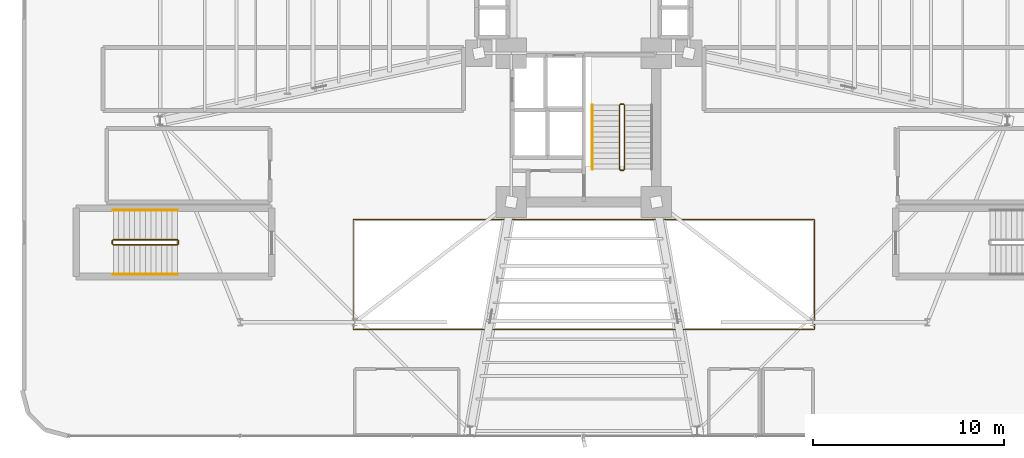
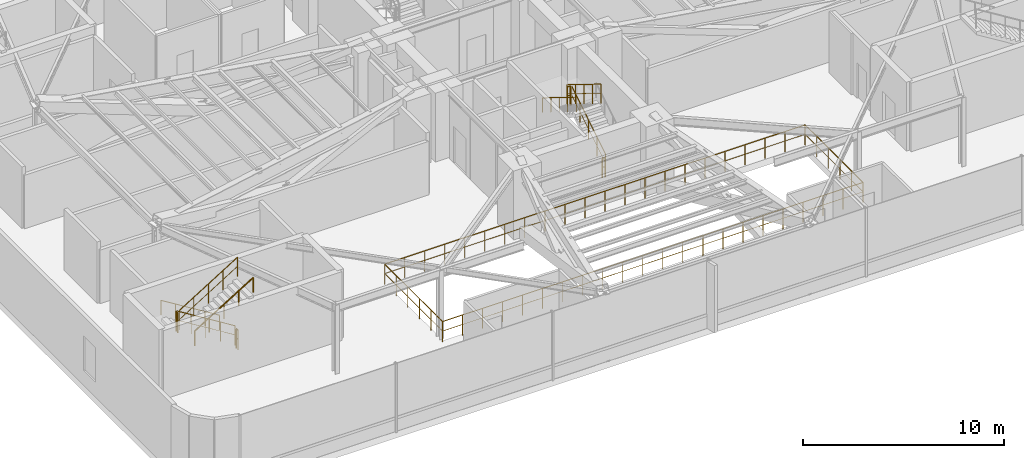
# One storey, part 29 of 32: 12 railings.
"""IFC4 building model written with IfcOpenShell, lengths in metres."""

from ifc_helpers import new_model, si_unit, direction, frame, origin, origin_2d, place, context, subcontext, project, spatial, circle, extrude, material, type_object, element, save


model = new_model("IFC4")

# Units and contexts
model_context = context("Model", 3, precision=1e-05, world=origin(), true_north=direction((0.0, 1.0)))
body_context = subcontext(model_context, "Body", "Model", "MODEL_VIEW")
ifc_project = project(units=[si_unit("LENGTHUNIT", "METRE"), si_unit("AREAUNIT", "SQUARE_METRE"), si_unit("VOLUMEUNIT", "CUBIC_METRE"), si_unit("PLANEANGLEUNIT", "RADIAN"), si_unit("MASSUNIT", "GRAM", prefix="KILO")], contexts=[model_context])

# Site, building, storey
site_placement = place(None, origin())
site = spatial("IfcSite", under=ifc_project, at=site_placement, CompositionType="ELEMENT")
building_placement = place(site_placement, origin())
building = spatial("IfcBuilding", under=site, at=building_placement, Name="Sahyath Konkavel Grand Hotel", CompositionType="ELEMENT")
storey_placement = place(building_placement, frame((0.0, 0.0, 14.10009765625)))
storey = spatial("IfcBuildingStorey", under=building, at=storey_placement, Name="L03", CompositionType="ELEMENT", Elevation=14.10009765625)

# Railings
ifc_material_1 = material(Name="Anodised Bronze Aluminium and Laminated Glass", Category="aluminium")
railing_type_1 = type_object("IfcRailingType", Name="RLG-ATRIUM-1250", PredefinedType="BALUSTRADE", material=ifc_material_1)
railing_1_placement = place(storey_placement, frame((-12.080078125, -16.8798828125, 0.0)))
element("IfcRailing", 1, at=railing_1_placement, inside=storey, type_object=railing_type_1, Name="L03 Podium Atrium Void Guard Balustrade", PredefinedType="BALUSTRADE", context=body_context, shape_type="SweptSolid", body=[
    extrude(circle(Radius=0.02392578125, at=origin_2d()), frame((0.001953125, 0.0, 1.22607421875), z_axis=(1.0, 0.0, 0.0), x_axis=(0.0, 1.0, 0.0)), (0.0, 0.0, 1.0), 24.15625),
    extrude(circle(Radius=0.01416015625, at=origin_2d()), frame((0.001953125, 0.0, 0.64990234375), z_axis=(1.0, 0.0, 0.0), x_axis=(0.0, 1.0, 0.0)), (0.0, 0.0, 1.0), 24.15625),
    extrude(circle(Radius=0.02392578125, at=origin_2d()), frame((24.16015625, 0.001953125, 1.22607421875), z_axis=(0.0, 1.0, 0.0), x_axis=(-1.0, 0.0, 0.0)), (0.0, 0.0, 1.0), 5.755859375),
    extrude(circle(Radius=0.01416015625, at=origin_2d()), frame((24.16015625, 0.001953125, 0.64990234375), z_axis=(0.0, 1.0, 0.0), x_axis=(-1.0, 0.0, 0.0)), (0.0, 0.0, 1.0), 5.755859375),
    extrude(circle(Radius=0.02392578125, at=origin_2d()), frame((24.158203125, 5.759765625, 1.22607421875), z_axis=(-1.0, 0.0, 0.0), x_axis=(0.0, -1.0, 0.0)), (0.0, 0.0, 1.0), 24.15625),
    extrude(circle(Radius=0.01416015625, at=origin_2d()), frame((24.158203125, 5.759765625, 0.64990234375), z_axis=(-1.0, 0.0, 0.0), x_axis=(0.0, -1.0, 0.0)), (0.0, 0.0, 1.0), 24.15625),
    extrude(circle(Radius=0.02392578125, at=origin_2d()), frame((0.0, 5.7578125, 1.22607421875), z_axis=(0.0, -1.0, 0.0), x_axis=(1.0, 0.0, 0.0)), (0.0, 0.0, 1.0), 5.755859375),
    extrude(circle(Radius=0.01416015625, at=origin_2d()), frame((0.0, 5.7578125, 0.64990234375), z_axis=(0.0, -1.0, 0.0), x_axis=(1.0, 0.0, 0.0)), (0.0, 0.0, 1.0), 5.755859375),
    extrude(circle(Radius=0.02099609375, at=origin_2d()), origin(), (0.0, 0.0, 1.0), 1.201904296875),
    extrude(circle(Radius=0.02099609375, at=origin_2d()), frame((1.150390625, 0.0, 0.0)), (0.0, 0.0, 1.0), 1.201904296875),
    extrude(circle(Radius=0.02099609375, at=origin_2d()), frame((2.301025390625, 0.0, 0.0)), (0.0, 0.0, 1.0), 1.201904296875),
    extrude(circle(Radius=0.02099609375, at=origin_2d()), frame((3.451416015625, 0.0, 0.0)), (0.0, 0.0, 1.0), 1.201904296875),
    extrude(circle(Radius=0.02099609375, at=origin_2d()), frame((4.60205078125, 0.0, 0.0)), (0.0, 0.0, 1.0), 1.201904296875),
    extrude(circle(Radius=0.02099609375, at=origin_2d()), frame((5.75244140625, 0.0, 0.0)), (0.0, 0.0, 1.0), 1.201904296875),
    extrude(circle(Radius=0.02099609375, at=origin_2d()), frame((6.90283203125, 0.0, 0.0)), (0.0, 0.0, 1.0), 1.201904296875),
    extrude(circle(Radius=0.02099609375, at=origin_2d()), frame((8.053466796875, 0.0, 0.0)), (0.0, 0.0, 1.0), 1.201904296875),
    extrude(circle(Radius=0.02099609375, at=origin_2d()), frame((9.203857421875, 0.0, 0.0)), (0.0, 0.0, 1.0), 1.201904296875),
    extrude(circle(Radius=0.02099609375, at=origin_2d()), frame((10.354248046875, 0.0, 0.0)), (0.0, 0.0, 1.0), 1.201904296875),
    extrude(circle(Radius=0.02099609375, at=origin_2d()), frame((11.5048828125, 0.0, 0.0)), (0.0, 0.0, 1.0), 1.201904296875),
    extrude(circle(Radius=0.02099609375, at=origin_2d()), frame((12.6552734375, 0.0, 0.0)), (0.0, 0.0, 1.0), 1.201904296875),
    extrude(circle(Radius=0.02099609375, at=origin_2d()), frame((13.805908203125, 0.0, 0.0)), (0.0, 0.0, 1.0), 1.201904296875),
    extrude(circle(Radius=0.02099609375, at=origin_2d()), frame((14.956298828125, 0.0, 0.0)), (0.0, 0.0, 1.0), 1.201904296875),
    extrude(circle(Radius=0.02099609375, at=origin_2d()), frame((16.106689453125, 0.0, 0.0)), (0.0, 0.0, 1.0), 1.201904296875),
    extrude(circle(Radius=0.02099609375, at=origin_2d()), frame((17.25732421875, 0.0, 0.0)), (0.0, 0.0, 1.0), 1.201904296875),
    extrude(circle(Radius=0.02099609375, at=origin_2d()), frame((18.40771484375, 0.0, 0.0)), (0.0, 0.0, 1.0), 1.201904296875),
    extrude(circle(Radius=0.02099609375, at=origin_2d()), frame((19.55810546875, 0.0, 0.0)), (0.0, 0.0, 1.0), 1.201904296875),
    extrude(circle(Radius=0.02099609375, at=origin_2d()), frame((20.708740234375, 0.0, 0.0)), (0.0, 0.0, 1.0), 1.201904296875),
    extrude(circle(Radius=0.02099609375, at=origin_2d()), frame((21.859130859375, 0.0, 0.0)), (0.0, 0.0, 1.0), 1.201904296875),
    extrude(circle(Radius=0.02099609375, at=origin_2d()), frame((23.009765625, 0.0, 0.0)), (0.0, 0.0, 1.0), 1.201904296875),
    extrude(circle(Radius=0.02099609375, at=origin_2d()), frame((24.16015625, 0.0, 0.0)), (0.0, 0.0, 1.0), 1.201904296875),
    extrude(circle(Radius=0.02099609375, at=origin_2d()), frame((24.16015625, 1.15185546875, 0.0)), (0.0, 0.0, 1.0), 1.201904296875),
    extrude(circle(Radius=0.02099609375, at=origin_2d()), frame((24.16015625, 2.303955078125, 0.0)), (0.0, 0.0, 1.0), 1.201904296875),
    extrude(circle(Radius=0.02099609375, at=origin_2d()), frame((24.16015625, 3.455810546875, 0.0)), (0.0, 0.0, 1.0), 1.201904296875),
    extrude(circle(Radius=0.02099609375, at=origin_2d()), frame((24.16015625, 4.60791015625, 0.0)), (0.0, 0.0, 1.0), 1.201904296875),
    extrude(circle(Radius=0.02099609375, at=origin_2d()), frame((24.16015625, 5.759765625, 0.0)), (0.0, 0.0, 1.0), 1.201904296875),
    extrude(circle(Radius=0.02099609375, at=origin_2d()), frame((23.009765625, 5.759765625, 0.0)), (0.0, 0.0, 1.0), 1.201904296875),
    extrude(circle(Radius=0.02099609375, at=origin_2d()), frame((21.859130859375, 5.759765625, 0.0)), (0.0, 0.0, 1.0), 1.201904296875),
    extrude(circle(Radius=0.02099609375, at=origin_2d()), frame((20.708740234375, 5.759765625, 0.0)), (0.0, 0.0, 1.0), 1.201904296875),
    extrude(circle(Radius=0.02099609375, at=origin_2d()), frame((19.55810546875, 5.759765625, 0.0)), (0.0, 0.0, 1.0), 1.201904296875),
    extrude(circle(Radius=0.02099609375, at=origin_2d()), frame((18.40771484375, 5.759765625, 0.0)), (0.0, 0.0, 1.0), 1.201904296875),
    extrude(circle(Radius=0.02099609375, at=origin_2d()), frame((17.25732421875, 5.759765625, 0.0)), (0.0, 0.0, 1.0), 1.201904296875),
    extrude(circle(Radius=0.02099609375, at=origin_2d()), frame((16.106689453125, 5.759765625, 0.0)), (0.0, 0.0, 1.0), 1.201904296875),
    extrude(circle(Radius=0.02099609375, at=origin_2d()), frame((14.956298828125, 5.759765625, 0.0)), (0.0, 0.0, 1.0), 1.201904296875),
    extrude(circle(Radius=0.02099609375, at=origin_2d()), frame((13.805908203125, 5.759765625, 0.0)), (0.0, 0.0, 1.0), 1.201904296875),
    extrude(circle(Radius=0.02099609375, at=origin_2d()), frame((12.6552734375, 5.759765625, 0.0)), (0.0, 0.0, 1.0), 1.201904296875),
    extrude(circle(Radius=0.02099609375, at=origin_2d()), frame((11.5048828125, 5.759765625, 0.0)), (0.0, 0.0, 1.0), 1.201904296875),
    extrude(circle(Radius=0.02099609375, at=origin_2d()), frame((10.354248046875, 5.759765625, 0.0)), (0.0, 0.0, 1.0), 1.201904296875),
    extrude(circle(Radius=0.02099609375, at=origin_2d()), frame((9.203857421875, 5.759765625, 0.0)), (0.0, 0.0, 1.0), 1.201904296875),
    extrude(circle(Radius=0.02099609375, at=origin_2d()), frame((8.053466796875, 5.759765625, 0.0)), (0.0, 0.0, 1.0), 1.201904296875),
    extrude(circle(Radius=0.02099609375, at=origin_2d()), frame((6.90283203125, 5.759765625, 0.0)), (0.0, 0.0, 1.0), 1.201904296875),
    extrude(circle(Radius=0.02099609375, at=origin_2d()), frame((5.75244140625, 5.759765625, 0.0)), (0.0, 0.0, 1.0), 1.201904296875),
    extrude(circle(Radius=0.02099609375, at=origin_2d()), frame((4.60205078125, 5.759765625, 0.0)), (0.0, 0.0, 1.0), 1.201904296875),
    extrude(circle(Radius=0.02099609375, at=origin_2d()), frame((3.451416015625, 5.759765625, 0.0)), (0.0, 0.0, 1.0), 1.201904296875),
    extrude(circle(Radius=0.02099609375, at=origin_2d()), frame((2.301025390625, 5.759765625, 0.0)), (0.0, 0.0, 1.0), 1.201904296875),
    extrude(circle(Radius=0.02099609375, at=origin_2d()), frame((1.150390625, 5.759765625, 0.0)), (0.0, 0.0, 1.0), 1.201904296875),
    extrude(circle(Radius=0.02099609375, at=origin_2d()), frame((0.0, 5.759765625, 0.0)), (0.0, 0.0, 1.0), 1.201904296875),
    extrude(circle(Radius=0.02099609375, at=origin_2d()), frame((0.0, 4.60791015625, 0.0)), (0.0, 0.0, 1.0), 1.201904296875),
    extrude(circle(Radius=0.02099609375, at=origin_2d()), frame((0.0, 3.455810546875, 0.0)), (0.0, 0.0, 1.0), 1.201904296875),
    extrude(circle(Radius=0.02099609375, at=origin_2d()), frame((0.0, 2.303955078125, 0.0)), (0.0, 0.0, 1.0), 1.201904296875),
    extrude(circle(Radius=0.02099609375, at=origin_2d()), frame((0.0, 1.15185546875, 0.0)), (0.0, 0.0, 1.0), 1.201904296875),
])
ifc_material_2 = material(Name="Steel E350", Category="steel")
railing_type_2 = type_object("IfcRailingType", Name="RLG-STAIR-GRD", PredefinedType="GUARDRAIL", material=ifc_material_2)
railing_2_placement = place(storey_placement, frame((2.1298828125, -8.47998046875, 0.173095703125)))
element("IfcRailing", 2, at=railing_2_placement, inside=storey, type_object=railing_type_2, Name="L03 ST-2 stair guard 1", PredefinedType="GUARDRAIL", context=body_context, shape_type="SweptSolid", body=[
    extrude(circle(Radius=0.02392578125, at=origin_2d()), frame((0.0, 0.001708984375, 1.177001953125), z_axis=(0.0, 0.850606129759, 0.525803396734), x_axis=(-1.0, 0.0, 0.0)), (0.0, 0.0, 1.0), 3.946044921875),
    extrude(circle(Radius=0.01416015625, at=origin_2d()), frame((0.0, 0.001708984375, 0.625), z_axis=(0.0, 0.850606129759, 0.525803396734), x_axis=(-1.0, 0.0, 0.0)), (0.0, 0.0, 1.0), 3.946044921875),
    extrude(circle(Radius=0.02099609375, at=origin_2d()), origin(), (0.0, 0.0, 1.0), 1.15185546875),
    extrude(circle(Radius=0.02099609375, at=origin_2d()), frame((0.0, 0.83984375, 0.519287109375)), (0.0, 0.0, 1.0), 1.15185546875),
    extrude(circle(Radius=0.02099609375, at=origin_2d()), frame((0.0, 1.679931640625, 1.03857421875)), (0.0, 0.0, 1.0), 1.15185546875),
    extrude(circle(Radius=0.02099609375, at=origin_2d()), frame((0.0, 2.52001953125, 1.5576171875)), (0.0, 0.0, 1.0), 1.15185546875),
    extrude(circle(Radius=0.02099609375, at=origin_2d()), frame((0.0, 3.35986328125, 2.076904296875)), (0.0, 0.0, 1.0), 1.15185546875),
])
railing_3_placement = place(storey_placement, frame((2.080078125, -5.070068359375, 2.25)))
element("IfcRailing", 3, at=railing_3_placement, inside=storey, type_object=railing_type_2, Name="L03 ST-2 stair guard 2", PredefinedType="GUARDRAIL", context=body_context, shape_type="SweptSolid", body=[
    extrude(circle(Radius=0.02392578125, at=origin_2d()), frame((-0.001953125, 0.0, 1.17578125), z_axis=(-1.0, 0.0, 0.0), x_axis=(0.0, -1.0, 0.0)), (0.0, 0.0, 1.0), 0.15625),
    extrude(circle(Radius=0.01416015625, at=origin_2d()), frame((-0.001953125, 0.0, 0.6240234375), z_axis=(-1.0, 0.0, 0.0), x_axis=(0.0, -1.0, 0.0)), (0.0, 0.0, 1.0), 0.15625),
    extrude(circle(Radius=0.02099609375, at=origin_2d()), origin(), (0.0, 0.0, 1.0), 1.15185546875),
    extrude(circle(Radius=0.02099609375, at=origin_2d()), frame((-0.16015625, 0.0, 0.0)), (0.0, 0.0, 1.0), 1.15185546875),
])
railing_4_placement = place(storey_placement, frame((1.8701171875, -5.1201171875, 2.423095703125)))
element("IfcRailing", 4, at=railing_4_placement, inside=storey, type_object=railing_type_2, Name="L03 ST-2 stair guard 3", PredefinedType="GUARDRAIL", context=body_context, shape_type="SweptSolid", body=[
    extrude(circle(Radius=0.02392578125, at=origin_2d()), frame((0.0, -0.001708984375, 1.177001953125), z_axis=(0.0, -0.850606129759, 0.525803396734), x_axis=(1.0, 0.0, 0.0)), (0.0, 0.0, 1.0), 3.946044921875),
    extrude(circle(Radius=0.01416015625, at=origin_2d()), frame((0.0, -0.001708984375, 0.625), z_axis=(0.0, -0.850606129759, 0.525803396734), x_axis=(1.0, 0.0, 0.0)), (0.0, 0.0, 1.0), 3.946044921875),
    extrude(circle(Radius=0.02099609375, at=origin_2d()), origin(), (0.0, 0.0, 1.0), 1.15185546875),
    extrude(circle(Radius=0.02099609375, at=origin_2d()), frame((0.0, -0.83984375, 0.519287109375)), (0.0, 0.0, 1.0), 1.15185546875),
    extrude(circle(Radius=0.02099609375, at=origin_2d()), frame((0.0, -1.679931640625, 1.03857421875)), (0.0, 0.0, 1.0), 1.15185546875),
    extrude(circle(Radius=0.02099609375, at=origin_2d()), frame((0.0, -2.52001953125, 1.5576171875)), (0.0, 0.0, 1.0), 1.15185546875),
    extrude(circle(Radius=0.02099609375, at=origin_2d()), frame((0.0, -3.35986328125, 2.076904296875)), (0.0, 0.0, 1.0), 1.15185546875),
])
railing_5_placement = place(storey_placement, frame((2.080078125, -8.530029296875, 0.0)))
element("IfcRailing", 5, at=railing_5_placement, inside=storey, type_object=railing_type_2, Name="L03 ST-2 stair guard 4", PredefinedType="GUARDRAIL", context=body_context, shape_type="SweptSolid", body=[
    extrude(circle(Radius=0.02392578125, at=origin_2d()), frame((-0.001953125, 0.0, 1.17578125), z_axis=(-1.0, 0.0, 0.0), x_axis=(0.0, -1.0, 0.0)), (0.0, 0.0, 1.0), 0.15625),
    extrude(circle(Radius=0.01416015625, at=origin_2d()), frame((-0.001953125, 0.0, 0.6240234375), z_axis=(-1.0, 0.0, 0.0), x_axis=(0.0, -1.0, 0.0)), (0.0, 0.0, 1.0), 0.15625),
    extrude(circle(Radius=0.02099609375, at=origin_2d()), origin(), (0.0, 0.0, 1.0), 1.15185546875),
    extrude(circle(Radius=0.02099609375, at=origin_2d()), frame((-0.16015625, 0.0, 0.0)), (0.0, 0.0, 1.0), 1.15185546875),
])
railing_6_placement = place(storey_placement, frame((-21.2900390625, -12.179931640625, 0.173095703125)))
element("IfcRailing", 6, at=railing_6_placement, inside=storey, type_object=railing_type_2, Name="L03 ST-P3 stair guard 1", PredefinedType="GUARDRAIL", context=body_context, shape_type="SweptSolid", body=[
    extrude(circle(Radius=0.02392578125, at=origin_2d()), frame((-0.001708984375, 0.0, 1.177001953125), z_axis=(-0.850606129759, 0.0, 0.525803396734), x_axis=(0.0, -1.0, 0.0)), (0.0, 0.0, 1.0), 3.946044921875),
    extrude(circle(Radius=0.01416015625, at=origin_2d()), frame((-0.001708984375, 0.0, 0.625), z_axis=(-0.850606129759, 0.0, 0.525803396734), x_axis=(0.0, -1.0, 0.0)), (0.0, 0.0, 1.0), 3.946044921875),
    extrude(circle(Radius=0.02099609375, at=origin_2d()), origin(), (0.0, 0.0, 1.0), 1.15185546875),
    extrude(circle(Radius=0.02099609375, at=origin_2d()), frame((-0.83984375, 0.0, 0.519287109375)), (0.0, 0.0, 1.0), 1.15185546875),
    extrude(circle(Radius=0.02099609375, at=origin_2d()), frame((-1.679931640625, 0.0, 1.03857421875)), (0.0, 0.0, 1.0), 1.15185546875),
    extrude(circle(Radius=0.02099609375, at=origin_2d()), frame((-2.52001953125, 0.0, 1.5576171875)), (0.0, 0.0, 1.0), 1.15185546875),
    extrude(circle(Radius=0.02099609375, at=origin_2d()), frame((-3.35986328125, 0.0, 2.076904296875)), (0.0, 0.0, 1.0), 1.15185546875),
])
railing_7_placement = place(storey_placement, frame((-24.699951171875, -12.22998046875, 2.25)))
element("IfcRailing", 7, at=railing_7_placement, inside=storey, type_object=railing_type_2, Name="L03 ST-P3 stair guard 2", PredefinedType="GUARDRAIL", context=body_context, shape_type="SweptSolid", body=[
    extrude(circle(Radius=0.02392578125, at=origin_2d()), frame((0.0, -0.001953125, 1.17578125), z_axis=(0.0, -1.0, 0.0), x_axis=(1.0, 0.0, 0.0)), (0.0, 0.0, 1.0), 0.156005859375),
    extrude(circle(Radius=0.01416015625, at=origin_2d()), frame((0.0, -0.001953125, 0.6240234375), z_axis=(0.0, -1.0, 0.0), x_axis=(1.0, 0.0, 0.0)), (0.0, 0.0, 1.0), 0.156005859375),
    extrude(circle(Radius=0.02099609375, at=origin_2d()), origin(), (0.0, 0.0, 1.0), 1.15185546875),
    extrude(circle(Radius=0.02099609375, at=origin_2d()), frame((0.0, -0.159912109375, 0.0)), (0.0, 0.0, 1.0), 1.15185546875),
])
railing_8_placement = place(storey_placement, frame((-24.64990234375, -12.43994140625, 2.423095703125)))
element("IfcRailing", 8, at=railing_8_placement, inside=storey, type_object=railing_type_2, Name="L03 ST-P3 stair guard 3", PredefinedType="GUARDRAIL", context=body_context, shape_type="SweptSolid", body=[
    extrude(circle(Radius=0.02392578125, at=origin_2d()), frame((0.001708984375, 0.0, 1.177001953125), z_axis=(0.850606129759, 0.0, 0.525803396734), x_axis=(0.0, 1.0, 0.0)), (0.0, 0.0, 1.0), 3.946044921875),
    extrude(circle(Radius=0.01416015625, at=origin_2d()), frame((0.001708984375, 0.0, 0.625), z_axis=(0.850606129759, 0.0, 0.525803396734), x_axis=(0.0, 1.0, 0.0)), (0.0, 0.0, 1.0), 3.946044921875),
    extrude(circle(Radius=0.02099609375, at=origin_2d()), origin(), (0.0, 0.0, 1.0), 1.15185546875),
    extrude(circle(Radius=0.02099609375, at=origin_2d()), frame((0.83984375, 0.0, 0.519287109375)), (0.0, 0.0, 1.0), 1.15185546875),
    extrude(circle(Radius=0.02099609375, at=origin_2d()), frame((1.679931640625, 0.0, 1.03857421875)), (0.0, 0.0, 1.0), 1.15185546875),
    extrude(circle(Radius=0.02099609375, at=origin_2d()), frame((2.52001953125, 0.0, 1.5576171875)), (0.0, 0.0, 1.0), 1.15185546875),
    extrude(circle(Radius=0.02099609375, at=origin_2d()), frame((3.35986328125, 0.0, 2.076904296875)), (0.0, 0.0, 1.0), 1.15185546875),
])
railing_9_placement = place(storey_placement, frame((-21.239990234375, -12.22998046875, 0.0)))
element("IfcRailing", 9, at=railing_9_placement, inside=storey, type_object=railing_type_2, Name="L03 ST-P3 stair guard 4", PredefinedType="GUARDRAIL", context=body_context, shape_type="SweptSolid", body=[
    extrude(circle(Radius=0.02392578125, at=origin_2d()), frame((0.0, -0.001953125, 1.17578125), z_axis=(0.0, -1.0, 0.0), x_axis=(1.0, 0.0, 0.0)), (0.0, 0.0, 1.0), 0.156005859375),
    extrude(circle(Radius=0.01416015625, at=origin_2d()), frame((0.0, -0.001953125, 0.6240234375), z_axis=(0.0, -1.0, 0.0), x_axis=(1.0, 0.0, 0.0)), (0.0, 0.0, 1.0), 0.156005859375),
    extrude(circle(Radius=0.02099609375, at=origin_2d()), origin(), (0.0, 0.0, 1.0), 1.15185546875),
    extrude(circle(Radius=0.02099609375, at=origin_2d()), frame((0.0, -0.159912109375, 0.0)), (0.0, 0.0, 1.0), 1.15185546875),
])
ifc_material_3 = material(Name="Anodised Bronze Aluminium", Category="aluminium")
railing_type_3 = type_object("IfcRailingType", Name="RLG-STAIR-HND", PredefinedType="HANDRAIL", material=ifc_material_3)
railing_10_placement = place(storey_placement, frame((0.449951171875, -5.1201171875, 2.423095703125)))
element("IfcRailing", 10, at=railing_10_placement, inside=storey, type_object=railing_type_3, Name="L03 ST-2 stair handrail 2", PredefinedType="HANDRAIL", context=body_context, shape_type="SweptSolid", body=[
    extrude(circle(Radius=0.02392578125, at=origin_2d()), frame((0.0, -0.001708984375, 0.876953125), z_axis=(0.0, -0.850606129759, 0.525803396734), x_axis=(1.0, 0.0, 0.0)), (0.0, 0.0, 1.0), 3.946044921875),
    extrude(circle(Radius=0.02099609375, at=origin_2d()), origin(), (0.0, 0.0, 1.0), 0.851806640625),
    extrude(circle(Radius=0.02099609375, at=origin_2d()), frame((0.0, -0.83984375, 0.519287109375)), (0.0, 0.0, 1.0), 0.851806640625),
    extrude(circle(Radius=0.02099609375, at=origin_2d()), frame((0.0, -1.679931640625, 1.03857421875)), (0.0, 0.0, 1.0), 0.851806640625),
    extrude(circle(Radius=0.02099609375, at=origin_2d()), frame((0.0, -2.52001953125, 1.5576171875)), (0.0, 0.0, 1.0), 0.851806640625),
    extrude(circle(Radius=0.02099609375, at=origin_2d()), frame((0.0, -3.35986328125, 2.076904296875)), (0.0, 0.0, 1.0), 0.851806640625),
])
railing_11_placement = place(storey_placement, frame((-21.2900390625, -10.6298828125, 0.173095703125)))
element("IfcRailing", 11, at=railing_11_placement, inside=storey, type_object=railing_type_3, Name="L03 ST-P3 stair handrail 1", PredefinedType="HANDRAIL", context=body_context, shape_type="SweptSolid", body=[
    extrude(circle(Radius=0.02392578125, at=origin_2d()), frame((-0.001708984375, 0.0, 0.876953125), z_axis=(-0.850606129759, 0.0, 0.525803396734), x_axis=(0.0, -1.0, 0.0)), (0.0, 0.0, 1.0), 3.946044921875),
    extrude(circle(Radius=0.02099609375, at=origin_2d()), origin(), (0.0, 0.0, 1.0), 0.851806640625),
    extrude(circle(Radius=0.02099609375, at=origin_2d()), frame((-0.83984375, 0.0, 0.519287109375)), (0.0, 0.0, 1.0), 0.851806640625),
    extrude(circle(Radius=0.02099609375, at=origin_2d()), frame((-1.679931640625, 0.0, 1.03857421875)), (0.0, 0.0, 1.0), 0.851806640625),
    extrude(circle(Radius=0.02099609375, at=origin_2d()), frame((-2.52001953125, 0.0, 1.5576171875)), (0.0, 0.0, 1.0), 0.851806640625),
    extrude(circle(Radius=0.02099609375, at=origin_2d()), frame((-3.35986328125, 0.0, 2.076904296875)), (0.0, 0.0, 1.0), 0.851806640625),
])
railing_12_placement = place(storey_placement, frame((-24.64990234375, -13.989990234375, 2.423095703125)))
element("IfcRailing", 12, at=railing_12_placement, inside=storey, type_object=railing_type_3, Name="L03 ST-P3 stair handrail 2", PredefinedType="HANDRAIL", context=body_context, shape_type="SweptSolid", body=[
    extrude(circle(Radius=0.02392578125, at=origin_2d()), frame((0.001708984375, 0.0, 0.876953125), z_axis=(0.850606129759, 0.0, 0.525803396734), x_axis=(0.0, 1.0, 0.0)), (0.0, 0.0, 1.0), 3.946044921875),
    extrude(circle(Radius=0.02099609375, at=origin_2d()), origin(), (0.0, 0.0, 1.0), 0.851806640625),
    extrude(circle(Radius=0.02099609375, at=origin_2d()), frame((0.83984375, 0.0, 0.519287109375)), (0.0, 0.0, 1.0), 0.851806640625),
    extrude(circle(Radius=0.02099609375, at=origin_2d()), frame((1.679931640625, 0.0, 1.03857421875)), (0.0, 0.0, 1.0), 0.851806640625),
    extrude(circle(Radius=0.02099609375, at=origin_2d()), frame((2.52001953125, 0.0, 1.5576171875)), (0.0, 0.0, 1.0), 0.851806640625),
    extrude(circle(Radius=0.02099609375, at=origin_2d()), frame((3.35986328125, 0.0, 2.076904296875)), (0.0, 0.0, 1.0), 0.851806640625),
])

save(model, "model.ifc")
